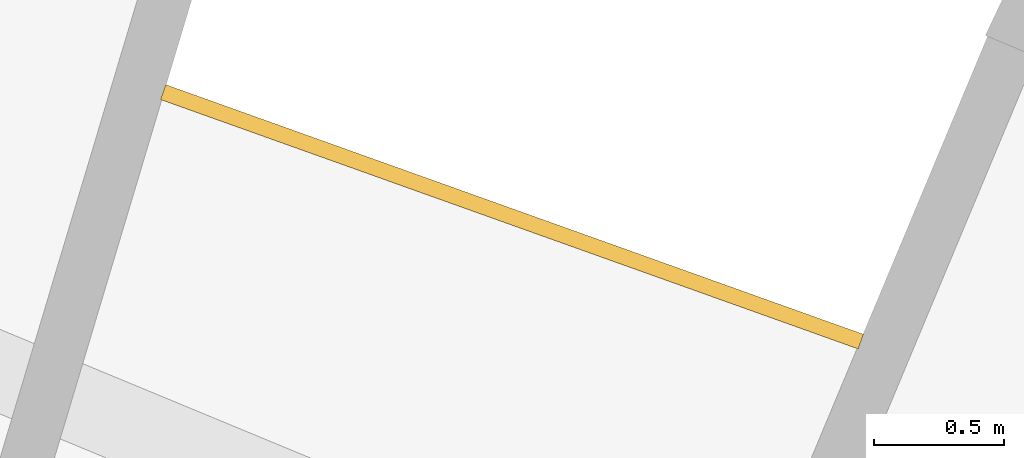
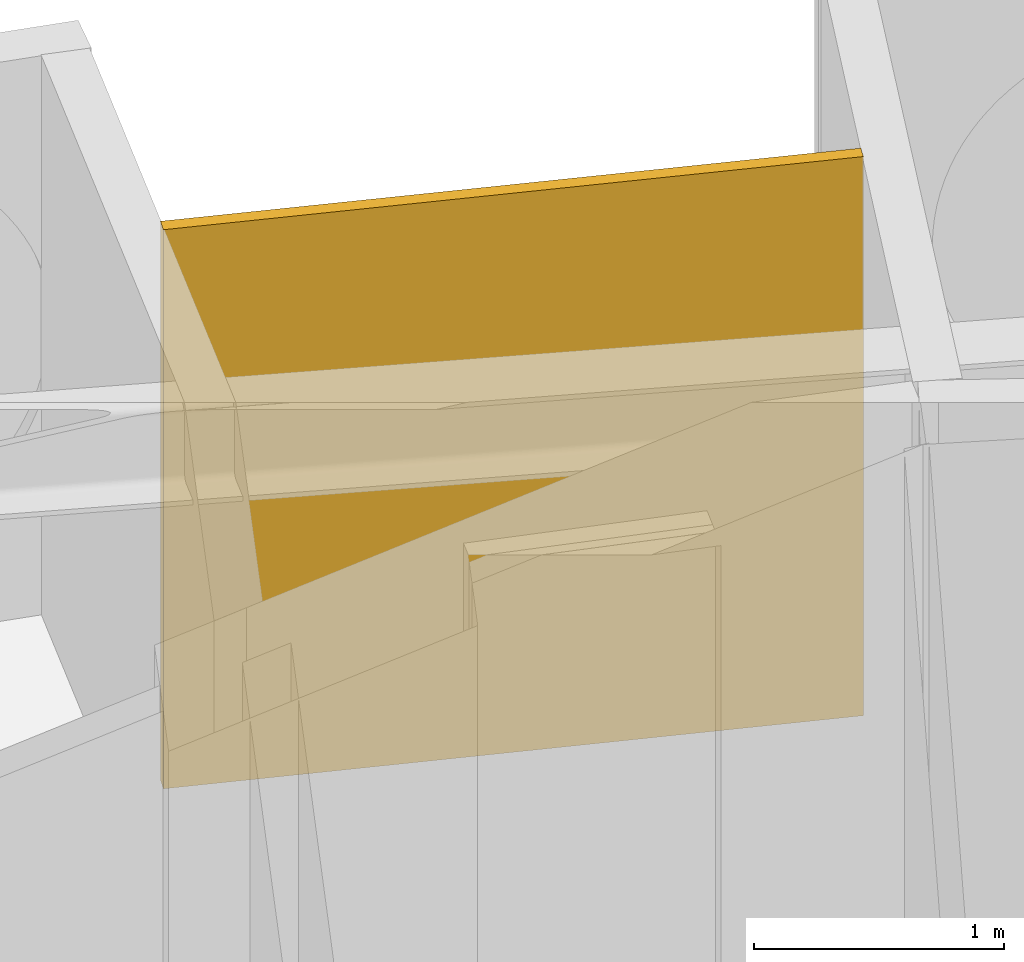
# One storey, part 27 of 27: 1 railing.
"""IFC4 building model written with IfcOpenShell, lengths in metres."""

from ifc_helpers import new_model, si_unit, direction, frame, origin, place, context, subcontext, project, spatial, polyline, outline, extrude, material, layer, layer_set, type_object, element, save


model = new_model("IFC4")

# Units and contexts
model_context = context("Model", 3, precision=1e-05, world=origin(), true_north=direction((0.0, 1.0)))
body_context = subcontext(model_context, "Body", "Model", "MODEL_VIEW")
ifc_project = project(units=[si_unit("LENGTHUNIT", "METRE"), si_unit("AREAUNIT", "SQUARE_METRE"), si_unit("VOLUMEUNIT", "CUBIC_METRE"), si_unit("PLANEANGLEUNIT", "RADIAN"), si_unit("MASSUNIT", "GRAM", prefix="KILO")], contexts=[model_context])

# Site, building, storey
site_placement = place(None, origin())
site = spatial("IfcSite", under=ifc_project, at=site_placement, CompositionType="ELEMENT")
building_placement = place(site_placement, origin())
building = spatial("IfcBuilding", under=site, at=building_placement, Name="Maasbend Ring Residences", CompositionType="ELEMENT")
storey_placement = place(building_placement, frame((0.0, 0.0, 120.800048828125)))
storey = spatial("IfcBuildingStorey", under=building, at=storey_placement, Name="L34", CompositionType="ELEMENT", Elevation=120.800048828125)

# Railing
ifc_material = material(Name="Pale anodised perforated aluminium", Category="aluminium")
ifc_layer = layer(ifc_material, 0.06005859375)
ifc_layer_set = layer_set([ifc_layer], Name="SCREEN-P")
railing_type = type_object("IfcRailingType", Name="SCREEN-P", PredefinedType="GUARDRAIL", material=ifc_layer_set)
railing_placement = place(storey_placement, frame((0.0, 0.0, -0.030029296875)))
element("IfcRailing", 1, at=railing_placement, inside=storey, type_object=railing_type, Name="Perforated screen guard 4", PredefinedType="GUARDRAIL", context=body_context, shape_type="SweptSolid", body=[
    extrude(outline(polyline([(11.097900390625, 26.79296875), (8.41796875, 27.7509765625), (8.43798828125, 27.80810546875), (11.117919921875, 26.84912109375), (11.097900390625, 26.79296875)])), origin(), (0.0, 0.0, 1.0), 2.72998046875),
])

save(model, "model.ifc")
